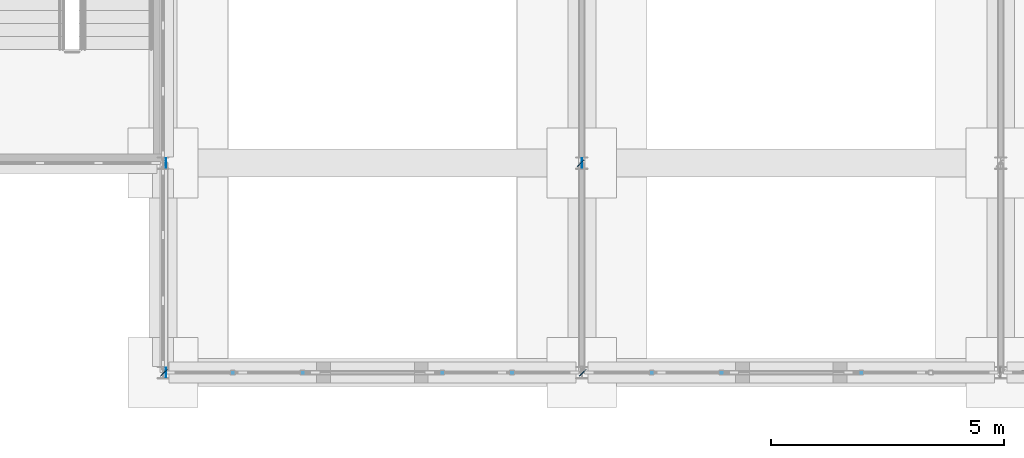
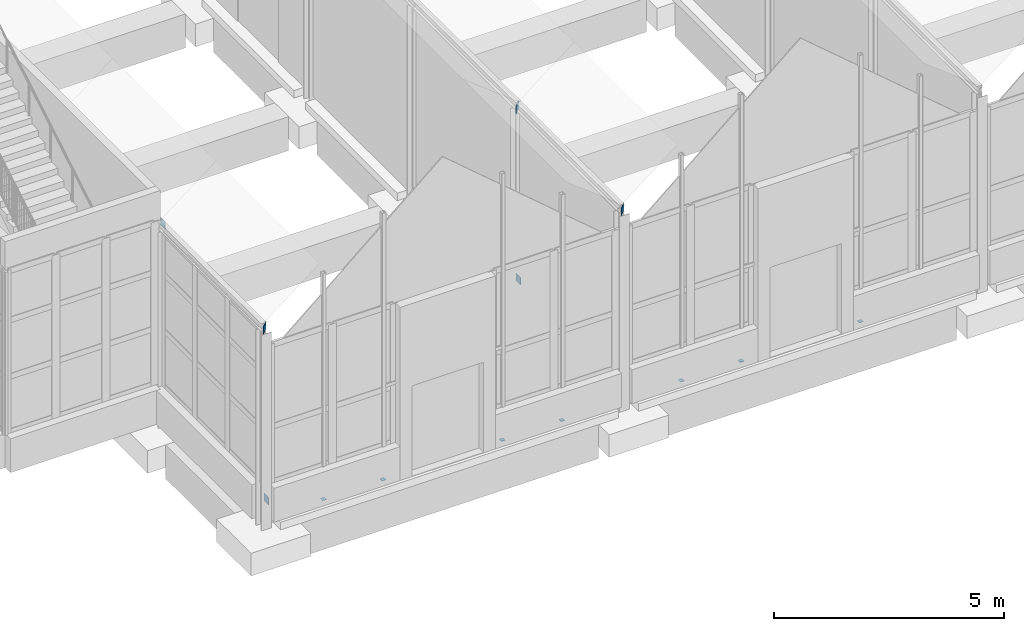
# One storey, part 81 of 106: 13 discrete accessories.
"""IFC4 building model written with IfcOpenShell, lengths in metres."""

from ifc_helpers import new_model, si_unit, direction, frame, origin, origin_2d, place, context, subcontext, project, spatial, rectangle, extrude, material, type_object, element, save


model = new_model("IFC4")

# Units and contexts
model_context = context("Model", 3, precision=1e-05, world=origin(), true_north=direction((0.0, 1.0)))
body_context = subcontext(model_context, "Body", "Model", "MODEL_VIEW")
ifc_project = project(units=[si_unit("LENGTHUNIT", "METRE"), si_unit("AREAUNIT", "SQUARE_METRE"), si_unit("VOLUMEUNIT", "CUBIC_METRE"), si_unit("PLANEANGLEUNIT", "RADIAN"), si_unit("MASSUNIT", "GRAM", prefix="KILO")], contexts=[model_context])

# Site, building, storey
site_placement = place(None, origin())
site = spatial("IfcSite", under=ifc_project, at=site_placement, CompositionType="ELEMENT")
building_placement = place(site_placement, origin())
building = spatial("IfcBuilding", under=site, at=building_placement, Name="Hortulan Conservatory and Botanical Research Centre", CompositionType="ELEMENT")
storey_placement = place(building_placement, origin())
storey = spatial("IfcBuildingStorey", under=building, at=storey_placement, Name="L00", CompositionType="ELEMENT", Elevation=0.0)

# Discrete accessories
ifc_material = material(Name="Steel Grade 300 plate (AS/NZS 3678, 280 MPa minimum yield)", Category="steel")
discrete_accessory_type_1 = type_object("IfcDiscreteAccessoryType", Name="End Plate 100x10", PredefinedType="BRACKET", material=ifc_material)
for number, where, z_axis, x_axis, name in (
    (1, (78.0, 0.0, 0.0), (0.0, 0.0, 1.0), (1.0, 0.0, 0.0), "Temperate Glasshouse gable post base plate S 1.5"),
    (2, (79.5, 0.0, 0.0), (0.0, 0.0, 1.0), (1.0, 0.0, 0.0), "Temperate Glasshouse gable post base plate S 3"),
    (3, (82.5, 0.0, 0.0), (0.0, 0.0, 1.0), (1.0, 0.0, 0.0), "Temperate Glasshouse gable post base plate S 6"),
    (4, (84.0, 0.0, 0.0), (0.0, 0.0, 1.0), (1.0, 0.0, 0.0), "Temperate Glasshouse gable post base plate S 7.5"),
    (5, (87.0, 0.0, 0.0), (0.0, 0.0, 1.0), (1.0, 0.0, 0.0), "Arid Glasshouse gable post base plate S 1.5"),
    (6, (88.5, 0.0, 0.0), (0.0, 0.0, 1.0), (1.0, 0.0, 0.0), "Arid Glasshouse gable post base plate S 3"),
    (7, (91.5, 0.0, 0.0), (0.0, 0.0, 1.0), (1.0, 0.0, 0.0), "Arid Glasshouse gable post base plate S 6"),
):
    element("IfcDiscreteAccessory", number, at=place(storey_placement, frame(where, z_axis=z_axis, x_axis=x_axis)), inside=storey, type_object=discrete_accessory_type_1, Name=name, PredefinedType="BRACKET", context=body_context, shape_type="SweptSolid", body=[
        extrude(rectangle(XDim=0.10009765625, YDim=0.10009765625, at=origin_2d()), origin(), (0.0, 0.0, 1.0), 0.010009765625),
    ])
discrete_accessory_type_2 = type_object("IfcDiscreteAccessoryType", Name="End Plate 200x10", PredefinedType="BRACKET", material=ifc_material)
for number, where, z_axis, x_axis, name in (
    (8, (76.5234375, 0.0, 4.97119140625), (0.0, 0.0, 1.0), (0.707106781187, 0.707106781187, 0.0), "Brace end plate"),
    (9, (76.568359375, 0.0, 0.39990234375), (0.0, 0.0, 1.0), (0.0, -1.0, 0.0), "Brace end plate"),
    (10, (76.568359375, 4.5, 5.00341796875), (0.0, 0.0, 1.0), (0.0, -1.0, 0.0), "Brace end plate"),
    (11, (85.5234375, 0.0, 4.97119140625), (0.0, 0.0, 1.0), (0.707106781187, 0.707106781187, 0.0), "Brace end plate"),
    (12, (85.5, 4.5, 0.39990234375), (0.0, 0.0, 1.0), (0.0, -1.0, 0.0), "Brace end plate"),
    (13, (85.4765625, 4.5, 4.97119140625), (0.0, 0.0, 1.0), (0.707106781187, 0.707106781187, 0.0), "Brace end plate"),
):
    element("IfcDiscreteAccessory", number, at=place(storey_placement, frame(where, z_axis=z_axis, x_axis=x_axis)), inside=storey, type_object=discrete_accessory_type_2, Name=name, PredefinedType="BRACKET", context=body_context, shape_type="SweptSolid", body=[
        extrude(rectangle(XDim=0.199951171875, YDim=0.010009765625, at=origin_2d()), origin(), (0.0, 0.0, 1.0), 0.199951171875),
    ])

save(model, "model.ifc")
